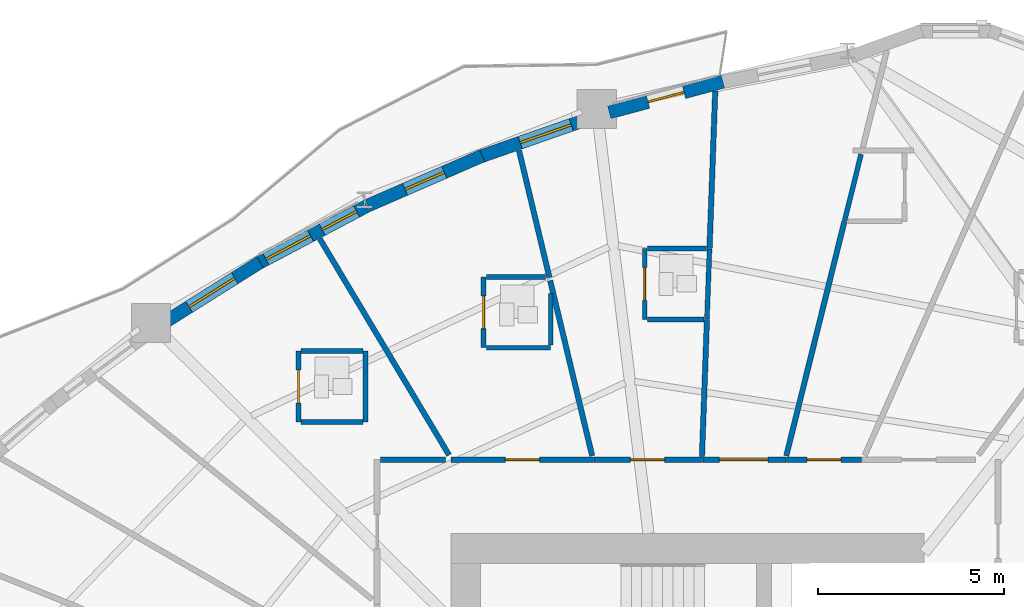
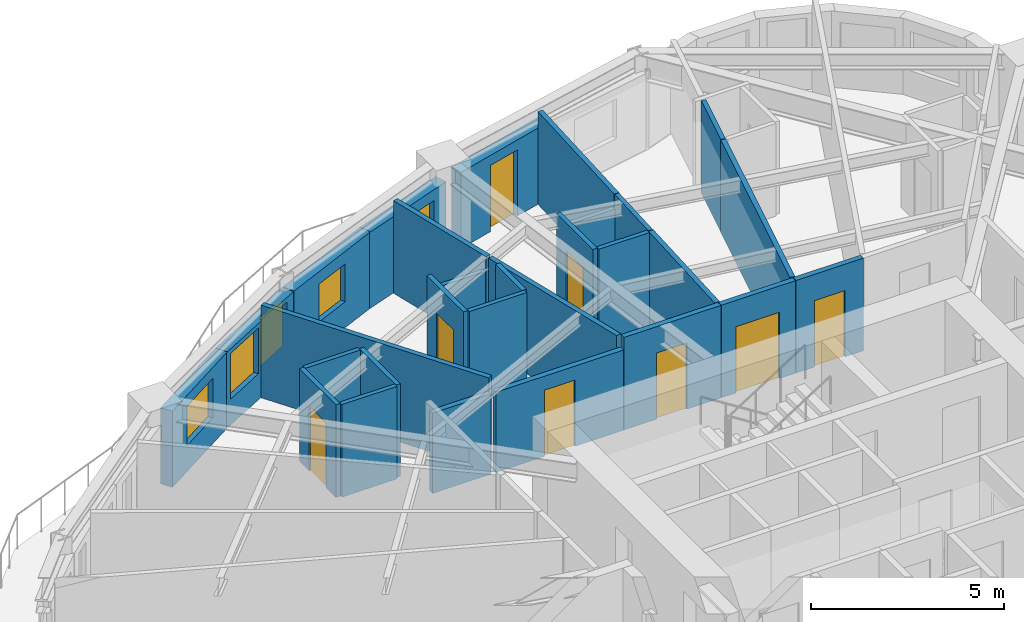
# One storey, part 11 of 18: 29 walls, 8 doors, 5 windows, 13 openings.
"""IFC4 building model written with IfcOpenShell, lengths in metres."""

from ifc_helpers import new_model, si_unit, direction, frame, frame_2d, origin, place, context, subcontext, project, spatial, rectangle, extrude, source, transform, mapped, material, layer, layer_set, type_object, element, fill, save


model = new_model("IFC4")

# Units and contexts
model_context = context("Model", 3, precision=1e-05, world=origin(), true_north=direction((0.0, 1.0)))
body_context = subcontext(model_context, "Body", "Model", "MODEL_VIEW")
ifc_project = project(units=[si_unit("LENGTHUNIT", "METRE"), si_unit("AREAUNIT", "SQUARE_METRE"), si_unit("VOLUMEUNIT", "CUBIC_METRE"), si_unit("PLANEANGLEUNIT", "RADIAN"), si_unit("MASSUNIT", "GRAM", prefix="KILO")], contexts=[model_context])

# Site, building, storey
site_placement = place(None, origin())
site = spatial("IfcSite", under=ifc_project, at=site_placement, CompositionType="ELEMENT")
building_placement = place(site_placement, origin())
building = spatial("IfcBuilding", under=site, at=building_placement, Name="Qafzar Sky-Pleat Residences", CompositionType="ELEMENT")
storey_placement = place(building_placement, frame((0.0, 0.0, 27.0)))
storey = spatial("IfcBuildingStorey", under=building, at=storey_placement, Name="L07", CompositionType="ELEMENT", Elevation=27.0)

# Wall, opening, door
ifc_material_1 = material(Name="Acoustic gypsum plasterboard partition", Category="gypsum")
ifc_layer_1 = layer(ifc_material_1, 0.159912109375)
ifc_layer_set_1 = layer_set([ifc_layer_1], Name="Acoustic gypsum plasterboard partition")
wall_type_1 = type_object("IfcWallType", Name="PART-COR-160", PredefinedType="PARTITIONING", material=ifc_layer_set_1)
wall_1_placement = place(storey_placement, frame((24.009033203125, 36.580078125, 0.0), z_axis=(0.0, 0.0, 1.0), x_axis=(1.0, 0.0, 0.0)))
wall_1 = element("IfcWall", 1, at=wall_1_placement, inside=storey, type_object=wall_type_1, Name="L07 Partition Wall PART-L07-PW-008", PredefinedType="PARTITIONING", context=body_context, shape_type="SweptSolid", body=[
    extrude(rectangle(XDim=3.822021484375, YDim=0.159912109375, at=frame_2d((1.9111328125, 0.0))), origin(), (0.0, 0.0, 1.0), 2.54296875),
])
opening_1_placement = place(wall_1_placement, frame((1.451904296875, 0.0, 0.0)))
opening_1 = element("IfcOpeningElement", 2, at=opening_1_placement, cuts=wall_1, Name="Opening ID-04", PredefinedType="OPENING", context=body_context, shape_type="SweptSolid", body=[
    extrude(rectangle(XDim=0.919921875, YDim=2.10009765625, at=frame_2d((0.4599609375, 1.050048828125))), frame((0.0, 0.08984375, 0.0), z_axis=(0.0, -1.0, 0.0), x_axis=(1.0, 0.0, 0.0)), (0.0, 0.0, 1.0), 0.179931640625),
])
ifc_material_2 = material(Name="Timber-faced fire door", Category="wood")
door_type_1 = type_object("IfcDoorType", Name="DR-BED-920", OperationType="NOTDEFINED", PredefinedType="DOOR", material=ifc_material_2)
shared_shape_1 = source(origin(), body_context, "Body", "SweptSolid", [
    extrude(rectangle(XDim=0.919921875, YDim=2.10009765625, at=frame_2d((0.4599609375, 1.050048828125))), frame((0.0, 0.02490234375, 0.0), z_axis=(0.0, -1.0, 0.0), x_axis=(1.0, 0.0, 0.0)), (0.0, 0.0, 1.0), 0.050048828125),
])
door_1_placement = place(opening_1_placement, origin())
door_1 = element("IfcDoor", 3, at=door_1_placement, inside=storey, type_object=door_type_1, Name="L07 Co-Living Bedroom 2 Door", OperationType="SINGLE_SWING_LEFT", OverallHeight=2.10009765625, OverallWidth=0.919921875, PredefinedType="DOOR", context=body_context, shape_type="MappedRepresentation", body=[
    mapped(shared_shape_1, transform((0.0, 0.0, 0.0), x_axis=(1.0, 0.0, 0.0), y_axis=(0.0, 1.0, 0.0), z_axis=(0.0, 0.0, 1.0), scale=1.0)),
])
fill(opening_1, door_1)

wall_2_placement = place(storey_placement, frame((27.845947265625, 36.580078125, 0.0), z_axis=(0.0, 0.0, 1.0), x_axis=(1.0, 0.0, 0.0)))
wall_2 = element("IfcWall", 4, at=wall_2_placement, inside=storey, type_object=wall_type_1, Name="L07 Partition Wall PART-L07-PW-014", PredefinedType="PARTITIONING", context=body_context, shape_type="SweptSolid", body=[
    extrude(rectangle(XDim=2.903076171875, YDim=0.159912109375, at=frame_2d((1.45166015625, 0.0))), origin(), (0.0, 0.0, 1.0), 2.93505859375),
])
opening_2_placement = place(wall_2_placement, frame((0.968994140625, 0.0, 0.0)))
opening_2 = element("IfcOpeningElement", 5, at=opening_2_placement, cuts=wall_2, Name="Opening ID-04", PredefinedType="OPENING", context=body_context, shape_type="SweptSolid", body=[
    extrude(rectangle(XDim=0.919921875, YDim=2.10009765625, at=frame_2d((0.4599609375, 1.050048828125))), frame((0.0, 0.08984375, 0.0), z_axis=(0.0, -1.0, 0.0), x_axis=(1.0, 0.0, 0.0)), (0.0, 0.0, 1.0), 0.179931640625),
])
door_2_placement = place(opening_2_placement, origin())
door_2 = element("IfcDoor", 6, at=door_2_placement, inside=storey, type_object=door_type_1, Name="L07 Co-Living Bedroom 1 Door", OperationType="SINGLE_SWING_RIGHT", OverallHeight=2.10009765625, OverallWidth=0.919921875, PredefinedType="DOOR", context=body_context, shape_type="MappedRepresentation", body=[
    mapped(shared_shape_1, transform((0.0, 0.0, 0.0), x_axis=(1.0, 0.0, 0.0), y_axis=(0.0, 1.0, 0.0), z_axis=(0.0, 0.0, 1.0), scale=1.0)),
])
fill(opening_2, door_2)

wall_3_placement = place(storey_placement, frame((30.763916015625, 36.580078125, 0.0), z_axis=(0.0, 0.0, 1.0), x_axis=(1.0, 0.0, 0.0)))
wall_3 = element("IfcWall", 7, at=wall_3_placement, inside=storey, type_object=wall_type_1, Name="L07 Partition Wall PART-L07-PW-017", PredefinedType="PARTITIONING", context=body_context, shape_type="SweptSolid", body=[
    extrude(rectangle(XDim=2.22509765625, YDim=0.159912109375, at=frame_2d((1.112548828125, 0.0))), origin(), (0.0, 0.0, 1.0), 2.93505859375),
])
opening_3_placement = place(wall_3_placement, frame((0.43994140625, 0.0, 0.0)))
opening_3 = element("IfcOpeningElement", 8, at=opening_3_placement, cuts=wall_3, Name="Opening ID-05", PredefinedType="OPENING", context=body_context, shape_type="SweptSolid", body=[
    extrude(rectangle(XDim=1.300048828125, YDim=2.10009765625, at=frame_2d((0.64990234375, 1.050048828125))), frame((0.0, 0.08984375, 0.0), z_axis=(0.0, -1.0, 0.0), x_axis=(1.0, 0.0, 0.0)), (0.0, 0.0, 1.0), 0.179931640625),
])
door_type_2 = type_object("IfcDoorType", Name="DR-LNG-1300", OperationType="DOUBLE_DOOR_SINGLE_SWING", PredefinedType="DOOR", material=ifc_material_2)
shared_shape_2 = source(origin(), body_context, "Body", "SweptSolid", [
    extrude(rectangle(XDim=1.300048828125, YDim=2.10009765625, at=frame_2d((0.64990234375, 1.050048828125))), frame((0.0, 0.02490234375, 0.0), z_axis=(0.0, -1.0, 0.0), x_axis=(1.0, 0.0, 0.0)), (0.0, 0.0, 1.0), 0.050048828125),
])
door_3_placement = place(opening_3_placement, origin())
door_3 = element("IfcDoor", 9, at=door_3_placement, inside=storey, type_object=door_type_2, Name="L07 Communal Kitchen Door", OperationType="DOUBLE_DOOR_SINGLE_SWING", OverallHeight=2.10009765625, OverallWidth=1.300048828125, PredefinedType="DOOR", context=body_context, shape_type="MappedRepresentation", body=[
    mapped(shared_shape_2, transform((0.0, 0.0, 0.0), x_axis=(1.0, 0.0, 0.0), y_axis=(0.0, 1.0, 0.0), z_axis=(0.0, 0.0, 1.0), scale=1.0)),
])
fill(opening_3, door_3)

wall_4_placement = place(storey_placement, frame((33.00390625, 36.580078125, 0.0), z_axis=(0.0, 0.0, 1.0), x_axis=(1.0, 0.0, 0.0)))
wall_4 = element("IfcWall", 10, at=wall_4_placement, inside=storey, type_object=wall_type_1, Name="L07 Partition Wall PART-L07-PW-018", PredefinedType="PARTITIONING", context=body_context, shape_type="SweptSolid", body=[
    extrude(rectangle(XDim=2.01708984375, YDim=0.159912109375, at=frame_2d((1.008544921875, 0.0))), origin(), (0.0, 0.0, 1.0), 2.93505859375),
])
opening_4_placement = place(wall_4_placement, frame((0.549072265625, 0.0, 0.0)))
opening_4 = element("IfcOpeningElement", 11, at=opening_4_placement, cuts=wall_4, Name="Opening ID-04", PredefinedType="OPENING", context=body_context, shape_type="SweptSolid", body=[
    extrude(rectangle(XDim=0.919921875, YDim=2.10009765625, at=frame_2d((0.4599609375, 1.050048828125))), frame((0.0, 0.08984375, 0.0), z_axis=(0.0, -1.0, 0.0), x_axis=(1.0, 0.0, 0.0)), (0.0, 0.0, 1.0), 0.179931640625),
])
door_4_placement = place(opening_4_placement, origin())
door_4 = element("IfcDoor", 12, at=door_4_placement, inside=storey, type_object=door_type_1, Name="L07 Co-Living Bedroom 12 Door", OperationType="SINGLE_SWING_RIGHT", OverallHeight=2.10009765625, OverallWidth=0.919921875, PredefinedType="DOOR", context=body_context, shape_type="MappedRepresentation", body=[
    mapped(shared_shape_1, transform((0.0, 0.0, 0.0), x_axis=(1.0, 0.0, 0.0), y_axis=(0.0, 1.0, 0.0), z_axis=(0.0, 0.0, 1.0), scale=1.0)),
])
fill(opening_4, door_4)

# Walls
wall_5_placement = place(storey_placement, frame((22.10791015625, 36.580078125, 0.0), z_axis=(0.0, 0.0, 1.0), x_axis=(1.0, 0.0, 0.0)))
element("IfcWall", 13, at=wall_5_placement, inside=storey, type_object=wall_type_1, Name="L07 Partition Wall PART-L07-PW-060", PredefinedType="PARTITIONING", context=body_context, shape_type="SweptSolid", body=[
    extrude(rectangle(XDim=1.745849609375, YDim=0.159912109375, at=frame_2d((0.873046875, 0.0))), origin(), (0.0, 0.0, 1.0), 2.54296875),
])
ifc_layer_2 = layer(ifc_material_1, 0.14501953125)
ifc_layer_set_2 = layer_set([ifc_layer_2], Name="Acoustic gypsum plasterboard partition")
wall_type_2 = type_object("IfcWallType", Name="PART-UNIT-145", PredefinedType="PARTITIONING", material=ifc_layer_set_2)
wall_6_placement = place(storey_placement, frame((20.481201171875, 42.510498046875, 0.0), z_axis=(0.0, 0.0, 1.0), x_axis=(0.513067331262, -0.858348363773, 0.0)))
element("IfcWall", 14, at=wall_6_placement, inside=storey, type_object=wall_type_2, Name="L07 Partition Wall PART-L07-PW-046", PredefinedType="PARTITIONING", context=body_context, shape_type="SweptSolid", body=[
    extrude(rectangle(XDim=6.7646484375, YDim=0.14501953125, at=frame_2d((3.38232421875, 0.0))), origin(), (0.0, 0.0, 1.0), 2.93505859375),
])
wall_7_placement = place(storey_placement, frame((33.0, 36.685302734375, 0.0), z_axis=(0.0, 0.0, 1.0), x_axis=(0.240736846637, 0.970590423748, 0.0)))
element("IfcWall", 15, at=wall_7_placement, inside=storey, type_object=wall_type_2, Name="L07 Partition Wall PART-L07-PW-047", PredefinedType="PARTITIONING", context=body_context, shape_type="SweptSolid", body=[
    extrude(rectangle(XDim=6.484375, YDim=0.14501953125, at=frame_2d((3.2421875, 0.0))), origin(), (0.0, 0.0, 1.0), 2.93505859375),
])
wall_8_placement = place(storey_placement, frame((26.6640625, 41.387939453125, 0.0), z_axis=(0.0, 0.0, 1.0), x_axis=(0.233021630241, -0.972471552201, 0.0)))
element("IfcWall", 16, at=wall_8_placement, inside=storey, type_object=wall_type_2, Name="L07 Partition Wall PART-L07-PW-051", PredefinedType="PARTITIONING", context=body_context, shape_type="SweptSolid", body=[
    extrude(rectangle(XDim=4.836181640625, YDim=0.14501953125, at=frame_2d((2.41796875, 0.0))), origin(), (0.0, 0.0, 1.0), 2.93505859375),
])
wall_9_placement = place(storey_placement, frame((30.93994140625, 42.2470703125, 0.0), z_axis=(0.0, 0.0, 1.0), x_axis=(0.03624948077, 0.999342771597, 0.0)))
element("IfcWall", 17, at=wall_9_placement, inside=storey, type_object=wall_type_2, Name="L07 Partition Wall PART-L07-PW-052", PredefinedType="PARTITIONING", context=body_context, shape_type="SweptSolid", body=[
    extrude(rectangle(XDim=4.2294921875, YDim=0.14501953125, at=frame_2d((2.11474609375, 0.0))), origin(), (0.0, 0.0, 1.0), 2.93505859375),
])
wall_10_placement = place(storey_placement, frame((30.7373046875, 36.670654296875, 0.0), z_axis=(0.0, 0.0, 1.0), x_axis=(0.036368539535, 0.999338445839, 0.0)))
element("IfcWall", 18, at=wall_10_placement, inside=storey, type_object=wall_type_2, Name="L07 Partition Wall PART-L07-PW-054", PredefinedType="PARTITIONING", context=body_context, shape_type="SweptSolid", body=[
    extrude(rectangle(XDim=3.6787109375, YDim=0.14501953125, at=frame_2d((1.83935546875, 0.0))), origin(), (0.0, 0.0, 1.0), 2.93505859375),
])
wall_11_placement = place(storey_placement, frame((25.828857421875, 44.87548828125, 0.0), z_axis=(0.0, 0.0, 1.0), x_axis=(0.232921769711, -0.972495475154, 0.0)))
element("IfcWall", 19, at=wall_11_placement, inside=storey, type_object=wall_type_2, Name="L07 Partition Wall PART-L07-PW-055", PredefinedType="PARTITIONING", context=body_context, shape_type="SweptSolid", body=[
    extrude(rectangle(XDim=3.499755859375, YDim=0.14501953125, at=frame_2d((1.75, 0.0))), origin(), (0.0, 0.0, 1.0), 2.93505859375),
])

# Wall, opening, door
ifc_material_3 = material(Name="Moisture-resistant gypsum partition", Category="gypsum")
ifc_layer_3 = layer(ifc_material_3, 0.1298828125)
ifc_layer_set_3 = layer_set([ifc_layer_3], Name="Moisture-resistant gypsum partition")
wall_type_3 = type_object("IfcWallType", Name="PART-WET-130", PredefinedType="PARTITIONING", material=ifc_layer_set_3)
wall_12_placement = place(storey_placement, frame((29.200927734375, 42.2470703125, 0.0), z_axis=(0.0, 0.0, 1.0), x_axis=(0.0, -1.0, 0.0)))
wall_12 = element("IfcWall", 20, at=wall_12_placement, inside=storey, type_object=wall_type_3, Name="L07 Partition Wall PART-L07-PW-023", PredefinedType="PARTITIONING", context=body_context, shape_type="SweptSolid", body=[
    extrude(rectangle(XDim=1.900146484375, YDim=0.1298828125, at=frame_2d((0.9501953125, 0.0))), origin(), (0.0, 0.0, 1.0), 2.93505859375),
])
opening_5_placement = place(wall_12_placement, frame((0.510009765625, 0.0, 0.0)))
opening_5 = element("IfcOpeningElement", 21, at=opening_5_placement, cuts=wall_12, Name="Opening ID-07", PredefinedType="OPENING", context=body_context, shape_type="SweptSolid", body=[
    extrude(rectangle(XDim=0.8798828125, YDim=2.050048828125, at=frame_2d((0.43994140625, 1.02490234375))), frame((0.0, 0.074951171875, 0.0), z_axis=(0.0, -1.0, 0.0), x_axis=(1.0, 0.0, 0.0)), (0.0, 0.0, 1.0), 0.14990234375),
])
door_type_3 = type_object("IfcDoorType", Name="DR-WET-880", OperationType="NOTDEFINED", PredefinedType="DOOR", material=ifc_material_2)
shared_shape_3 = source(origin(), body_context, "Body", "SweptSolid", [
    extrude(rectangle(XDim=0.8798828125, YDim=2.050048828125, at=frame_2d((0.43994140625, 1.02490234375))), frame((0.0, 0.02490234375, 0.0), z_axis=(0.0, -1.0, 0.0), x_axis=(1.0, 0.0, 0.0)), (0.0, 0.0, 1.0), 0.050048828125),
])
door_5_placement = place(opening_5_placement, origin())
door_5 = element("IfcDoor", 22, at=door_5_placement, inside=storey, type_object=door_type_3, Name="L07 En-suite Bathroom 1 Door", OperationType="SINGLE_SWING_LEFT", OverallHeight=2.050048828125, OverallWidth=0.8798828125, PredefinedType="DOOR", context=body_context, shape_type="MappedRepresentation", body=[
    mapped(shared_shape_3, transform((0.0, 0.0, 0.0), x_axis=(1.0, 0.0, 0.0), y_axis=(0.0, 1.0, 0.0), z_axis=(0.0, 0.0, 1.0), scale=1.0)),
])
fill(opening_5, door_5)

wall_13_placement = place(storey_placement, frame((24.87890625, 41.487060546875, 0.0), z_axis=(0.0, 0.0, 1.0), x_axis=(0.0, -1.0, 0.0)))
wall_13 = element("IfcWall", 23, at=wall_13_placement, inside=storey, type_object=wall_type_3, Name="L07 Partition Wall PART-L07-PW-024", PredefinedType="PARTITIONING", context=body_context, shape_type="SweptSolid", body=[
    extrude(rectangle(XDim=1.900146484375, YDim=0.1298828125, at=frame_2d((0.9501953125, 0.0))), origin(), (0.0, 0.0, 1.0), 2.93505859375),
])
opening_6_placement = place(wall_13_placement, frame((0.510009765625, 0.0, 0.0)))
opening_6 = element("IfcOpeningElement", 24, at=opening_6_placement, cuts=wall_13, Name="Opening ID-07", PredefinedType="OPENING", context=body_context, shape_type="SweptSolid", body=[
    extrude(rectangle(XDim=0.8798828125, YDim=2.050048828125, at=frame_2d((0.43994140625, 1.02490234375))), frame((0.0, 0.074951171875, 0.0), z_axis=(0.0, -1.0, 0.0), x_axis=(1.0, 0.0, 0.0)), (0.0, 0.0, 1.0), 0.14990234375),
])
door_6_placement = place(opening_6_placement, origin())
door_6 = element("IfcDoor", 25, at=door_6_placement, inside=storey, type_object=door_type_3, Name="L07 En-suite Bathroom 2 Door", OperationType="SINGLE_SWING_RIGHT", OverallHeight=2.050048828125, OverallWidth=0.8798828125, PredefinedType="DOOR", context=body_context, shape_type="MappedRepresentation", body=[
    mapped(shared_shape_3, transform((0.0, 0.0, 0.0), x_axis=(1.0, 0.0, 0.0), y_axis=(0.0, 1.0, 0.0), z_axis=(0.0, 0.0, 1.0), scale=1.0)),
])
fill(opening_6, door_6)

wall_14_placement = place(storey_placement, frame((19.909912109375, 39.4951171875, 0.0), z_axis=(0.0, 0.0, 1.0), x_axis=(0.0, -1.0, 0.0)))
wall_14 = element("IfcWall", 26, at=wall_14_placement, inside=storey, type_object=wall_type_3, Name="L07 Partition Wall PART-L07-PW-025", PredefinedType="PARTITIONING", context=body_context, shape_type="SweptSolid", body=[
    extrude(rectangle(XDim=1.900146484375, YDim=0.1298828125, at=frame_2d((0.9501953125, 0.0))), origin(), (0.0, 0.0, 1.0), 2.93505859375),
])
opening_7_placement = place(wall_14_placement, frame((0.510009765625, 0.0, 0.0)))
opening_7 = element("IfcOpeningElement", 27, at=opening_7_placement, cuts=wall_14, Name="Opening ID-07", PredefinedType="OPENING", context=body_context, shape_type="SweptSolid", body=[
    extrude(rectangle(XDim=0.8798828125, YDim=2.050048828125, at=frame_2d((0.43994140625, 1.02490234375))), frame((0.0, 0.074951171875, 0.0), z_axis=(0.0, -1.0, 0.0), x_axis=(1.0, 0.0, 0.0)), (0.0, 0.0, 1.0), 0.14990234375),
])
door_7_placement = place(opening_7_placement, origin())
door_7 = element("IfcDoor", 28, at=door_7_placement, inside=storey, type_object=door_type_3, Name="L07 En-suite Bathroom 3 Door", OperationType="SINGLE_SWING_LEFT", OverallHeight=2.050048828125, OverallWidth=0.8798828125, PredefinedType="DOOR", context=body_context, shape_type="MappedRepresentation", body=[
    mapped(shared_shape_3, transform((0.0, 0.0, 0.0), x_axis=(1.0, 0.0, 0.0), y_axis=(0.0, 1.0, 0.0), z_axis=(0.0, 0.0, 1.0), scale=1.0)),
])
fill(opening_7, door_7)

# Walls
wall_15_placement = place(storey_placement, frame((34.564697265625, 42.99365234375, 0.0), z_axis=(0.0, 0.0, 1.0), x_axis=(0.240658084914, 0.970609955732, 0.0)))
element("IfcWall", 29, at=wall_15_placement, inside=storey, type_object=wall_type_3, Name="L07 Partition Wall PART-L07-PW-061", PredefinedType="PARTITIONING", context=body_context, shape_type="SweptSolid", body=[
    extrude(rectangle(XDim=1.836181640625, YDim=0.1298828125, at=frame_2d((0.91796875, 0.0))), origin(), (0.0, 0.0, 1.0), 2.93505859375),
])
wall_16_placement = place(storey_placement, frame((21.7099609375, 37.594970703125, 0.0), z_axis=(0.0, 0.0, 1.0), x_axis=(0.0, 1.0, 0.0)))
element("IfcWall", 30, at=wall_16_placement, inside=storey, type_object=wall_type_3, Name="L07 Partition Wall PART-L07-PW-063", PredefinedType="PARTITIONING", context=body_context, shape_type="SweptSolid", body=[
    extrude(rectangle(XDim=1.900146484375, YDim=0.1298828125, at=frame_2d((0.9501953125, 0.0))), origin(), (0.0, 0.0, 1.0), 2.93505859375),
])
wall_17_placement = place(storey_placement, frame((30.87158203125, 40.362060546875, 0.0), z_axis=(0.0, 0.0, 1.0), x_axis=(0.036273279858, 0.999341908042, 0.0)))
element("IfcWall", 31, at=wall_17_placement, inside=storey, type_object=wall_type_3, Name="L07 Partition Wall PART-L07-PW-066", PredefinedType="PARTITIONING", context=body_context, shape_type="SweptSolid", body=[
    extrude(rectangle(XDim=1.87109375, YDim=0.1298828125, at=frame_2d((0.935546875, 0.0))), origin(), (0.0, 0.0, 1.0), 2.93505859375),
])
for number, where, z_axis, x_axis, name in (
    (32, (19.98291015625, 39.4951171875, 0.0), (0.0, 0.0, 1.0), (1.0, 0.0, 0.0), "L07 Partition Wall PART-L07-PW-070"),
    (33, (19.98291015625, 37.594970703125, 0.0), (0.0, 0.0, 1.0), (1.0, 0.0, 0.0), "L07 Partition Wall PART-L07-PW-071"),
):
    element("IfcWall", number, at=place(storey_placement, frame(where, z_axis=z_axis, x_axis=x_axis)), inside=storey, type_object=wall_type_3, Name=name, PredefinedType="PARTITIONING", context=body_context, shape_type="SweptSolid", body=[
        extrude(rectangle(XDim=1.654052734375, YDim=0.1298828125, at=frame_2d((0.8271484375, 0.0))), origin(), (0.0, 0.0, 1.0), 2.93505859375),
    ])
wall_18_placement = place(storey_placement, frame((24.951904296875, 39.5869140625, 0.0), z_axis=(0.0, 0.0, 1.0), x_axis=(1.0, 0.0, 0.0)))
element("IfcWall", 34, at=wall_18_placement, inside=storey, type_object=wall_type_3, Name="L07 Partition Wall PART-L07-PW-074", PredefinedType="PARTITIONING", context=body_context, shape_type="SweptSolid", body=[
    extrude(rectangle(XDim=1.72705078125, YDim=0.1298828125, at=frame_2d((0.863525390625, 0.0))), origin(), (0.0, 0.0, 1.0), 2.93505859375),
])
wall_19_placement = place(storey_placement, frame((24.951904296875, 41.487060546875, 0.0), z_axis=(0.0, 0.0, 1.0), x_axis=(1.0, 0.0, 0.0)))
element("IfcWall", 35, at=wall_19_placement, inside=storey, type_object=wall_type_3, Name="L07 Partition Wall PART-L07-PW-081", PredefinedType="PARTITIONING", context=body_context, shape_type="SweptSolid", body=[
    extrude(rectangle(XDim=1.590087890625, YDim=0.1298828125, at=frame_2d((0.794921875, 0.0))), origin(), (0.0, 0.0, 1.0), 2.5029296875),
])
wall_20_placement = place(storey_placement, frame((29.27392578125, 42.2470703125, 0.0), z_axis=(0.0, 0.0, 1.0), x_axis=(1.0, 0.0, 0.0)))
element("IfcWall", 36, at=wall_20_placement, inside=storey, type_object=wall_type_3, Name="L07 Partition Wall PART-L07-PW-082", PredefinedType="PARTITIONING", context=body_context, shape_type="SweptSolid", body=[
    extrude(rectangle(XDim=1.583251953125, YDim=0.1298828125, at=frame_2d((0.79150390625, 0.0))), origin(), (0.0, 0.0, 1.0), 2.5029296875),
])
wall_21_placement = place(storey_placement, frame((26.678955078125, 39.659912109375, 0.0), z_axis=(0.0, 0.0, 1.0), x_axis=(0.0, 1.0, 0.0)))
element("IfcWall", 37, at=wall_21_placement, inside=storey, type_object=wall_type_3, Name="L07 Partition Wall PART-L07-PW-083", PredefinedType="PARTITIONING", context=body_context, shape_type="SweptSolid", body=[
    extrude(rectangle(XDim=1.380126953125, YDim=0.1298828125, at=frame_2d((0.68994140625, 0.0))), origin(), (0.0, 0.0, 1.0), 2.93505859375),
])
wall_22_placement = place(storey_placement, frame((29.27392578125, 40.346923828125, 0.0), z_axis=(0.0, 0.0, 1.0), x_axis=(1.0, 0.0, 0.0)))
element("IfcWall", 38, at=wall_22_placement, inside=storey, type_object=wall_type_3, Name="L07 Partition Wall PART-L07-PW-084", PredefinedType="PARTITIONING", context=body_context, shape_type="SweptSolid", body=[
    extrude(rectangle(XDim=1.51416015625, YDim=0.1298828125, at=frame_2d((0.757080078125, 0.0))), origin(), (0.0, 0.0, 1.0), 2.93505859375),
])

# Wall, opening, door
ifc_material_4 = material(Name="Precast concrete C40/50 with honed Riyadh limestone", Category="concrete")
ifc_layer_4 = layer(ifc_material_4, 0.35009765625)
ifc_layer_set_4 = layer_set([ifc_layer_4], Name="Precast concrete C40/50 with honed Riyadh limestone")
wall_type_4 = type_object("IfcWallType", Name="WALL-EXT-350", PredefinedType="SOLIDWALL", material=ifc_layer_set_4)
wall_23_placement = place(storey_placement, frame((31.29833984375, 46.722412109375, 0.0), z_axis=(0.0, 0.0, 1.0), x_axis=(-0.965455913242, -0.260566459057, 0.0)))
wall_23 = element("IfcWall", 39, at=wall_23_placement, inside=storey, type_object=wall_type_4, Name="L07 Limestone Facade Wall 40", PredefinedType="SOLIDWALL", context=body_context, shape_type="SweptSolid", body=[
    extrude(rectangle(XDim=3.159423828125, YDim=0.35009765625, at=frame_2d((1.57958984375, 0.0))), origin(), (0.0, 0.0, 1.0), 2.4150390625),
])
opening_8_placement = place(wall_23_placement, frame((1.079833984375, 0.0, 0.0)))
opening_8 = element("IfcOpeningElement", 40, at=opening_8_placement, cuts=wall_23, Name="Opening ED-05", PredefinedType="OPENING", context=body_context, shape_type="SweptSolid", body=[
    extrude(rectangle(XDim=1.0, YDim=2.10009765625, at=frame_2d((0.5, 1.050048828125))), frame((0.0, 0.18505859375, 0.0), z_axis=(0.0, -1.0, 0.0), x_axis=(1.0, 0.0, 0.0)), (0.0, 0.0, 1.0), 0.3701171875),
])
ifc_material_5 = material(Name="Glazed bronze aluminium door", Category="aluminium")
door_type_4 = type_object("IfcDoorType", Name="DR-BAL-1000", OperationType="NOTDEFINED", PredefinedType="DOOR", material=ifc_material_5)
shared_shape_4 = source(origin(), body_context, "Body", "SweptSolid", [
    extrude(rectangle(XDim=1.0, YDim=2.10009765625, at=frame_2d((0.5, 1.050048828125))), frame((0.0, 0.02490234375, 0.0), z_axis=(0.0, -1.0, 0.0), x_axis=(1.0, 0.0, 0.0)), (0.0, 0.0, 1.0), 0.050048828125),
])
door_8_placement = place(opening_8_placement, origin())
door_8 = element("IfcDoor", 41, at=door_8_placement, inside=storey, type_object=door_type_4, Name="L07 Glazed Balcony Door 1", OperationType="SINGLE_SWING_LEFT", OverallHeight=2.10009765625, OverallWidth=1.0, PredefinedType="DOOR", context=body_context, shape_type="MappedRepresentation", body=[
    mapped(shared_shape_4, transform((0.0, 0.0, 0.0), x_axis=(1.0, 0.0, 0.0), y_axis=(0.0, 1.0, 0.0), z_axis=(0.0, 0.0, 1.0), scale=1.0)),
])
fill(opening_8, door_8)

# Wall, opening, window
wall_24_placement = place(storey_placement, frame((27.687255859375, 45.725830078125, 0.0), z_axis=(0.0, 0.0, 1.0), x_axis=(-0.9441205041, -0.329600475936, 0.0)))
wall_24 = element("IfcWall", 42, at=wall_24_placement, inside=storey, type_object=wall_type_4, Name="L07 Limestone Facade Wall 41", PredefinedType="SOLIDWALL", context=body_context, shape_type="SweptSolid", body=[
    extrude(rectangle(XDim=3.103515625, YDim=0.35009765625, at=frame_2d((1.5517578125, 0.0))), origin(), (0.0, 0.0, 1.0), 2.4150390625),
])
opening_9_placement = place(wall_24_placement, frame((0.486083984375, 0.0, 0.820068359375)))
opening_9 = element("IfcOpeningElement", 43, at=opening_9_placement, cuts=wall_24, Name="Opening WN-15", PredefinedType="OPENING", context=body_context, shape_type="SweptSolid", body=[
    extrude(rectangle(XDim=1.449951171875, YDim=1.25, at=frame_2d((0.72509765625, 0.625))), frame((0.0, 0.18505859375, 0.0), z_axis=(0.0, -1.0, 0.0), x_axis=(1.0, 0.0, 0.0)), (0.0, 0.0, 1.0), 0.3701171875),
])
ifc_material_6 = material(Name="Solar-control low-E glass in bronze aluminium frame", Category="glass")
window_type_1 = type_object("IfcWindowType", Name="WIN-15", PartitioningType="SINGLE_PANEL", PredefinedType="WINDOW", material=ifc_material_6)
shared_shape_5 = source(origin(), body_context, "Body", "SweptSolid", [
    extrude(rectangle(XDim=1.449951171875, YDim=1.25, at=frame_2d((0.72509765625, 0.625))), frame((0.0, 0.030029296875, 0.0), z_axis=(0.0, -1.0, 0.0), x_axis=(1.0, 0.0, 0.0)), (0.0, 0.0, 1.0), 0.06005859375),
])
window_1_placement = place(opening_9_placement, origin())
window_1 = element("IfcWindow", 44, at=window_1_placement, inside=storey, type_object=window_type_1, Name="L07 Punched Facade Window 41", OverallHeight=1.25, OverallWidth=1.449951171875, PartitioningType="SINGLE_PANEL", PredefinedType="WINDOW", context=body_context, shape_type="MappedRepresentation", body=[
    mapped(shared_shape_5, transform((0.0, 0.0, 0.0), x_axis=(1.0, 0.0, 0.0), y_axis=(0.0, 1.0, 0.0), z_axis=(0.0, 0.0, 1.0), scale=1.0)),
])
fill(opening_9, window_1)

wall_25_placement = place(storey_placement, frame((24.83984375, 44.7353515625, 0.0), z_axis=(0.0, 0.0, 1.0), x_axis=(-0.917090935142, -0.398678086532, 0.0)))
wall_25 = element("IfcWall", 45, at=wall_25_placement, inside=storey, type_object=wall_type_4, Name="L07 Limestone Facade Wall 42", PredefinedType="SOLIDWALL", context=body_context, shape_type="SweptSolid", body=[
    extrude(rectangle(XDim=3.345947265625, YDim=0.35009765625, at=frame_2d((1.6728515625, 0.0))), origin(), (0.0, 0.0, 1.0), 2.4150390625),
])
opening_10_placement = place(wall_25_placement, frame((1.10791015625, 0.0, 0.820068359375)))
opening_10 = element("IfcOpeningElement", 46, at=opening_10_placement, cuts=wall_25, Name="Opening WN-16", PredefinedType="OPENING", context=body_context, shape_type="SweptSolid", body=[
    extrude(rectangle(XDim=1.14990234375, YDim=1.199951171875, at=frame_2d((0.574951171875, 0.60009765625))), frame((0.0, 0.18505859375, 0.0), z_axis=(0.0, -1.0, 0.0), x_axis=(1.0, 0.0, 0.0)), (0.0, 0.0, 1.0), 0.3701171875),
])
window_type_2 = type_object("IfcWindowType", Name="WIN-16", PartitioningType="SINGLE_PANEL", PredefinedType="WINDOW", material=ifc_material_6)
shared_shape_6 = source(origin(), body_context, "Body", "SweptSolid", [
    extrude(rectangle(XDim=1.14990234375, YDim=1.199951171875, at=frame_2d((0.574951171875, 0.60009765625))), frame((0.0, 0.030029296875, 0.0), z_axis=(0.0, -1.0, 0.0), x_axis=(1.0, 0.0, 0.0)), (0.0, 0.0, 1.0), 0.06005859375),
])
window_2_placement = place(opening_10_placement, origin())
window_2 = element("IfcWindow", 47, at=window_2_placement, inside=storey, type_object=window_type_2, Name="L07 Punched Facade Window 42", OverallHeight=1.199951171875, OverallWidth=1.14990234375, PartitioningType="SINGLE_PANEL", PredefinedType="WINDOW", context=body_context, shape_type="MappedRepresentation", body=[
    mapped(shared_shape_6, transform((0.0, 0.0, 0.0), x_axis=(1.0, 0.0, 0.0), y_axis=(0.0, 1.0, 0.0), z_axis=(0.0, 0.0, 1.0), scale=1.0)),
])
fill(opening_10, window_2)

# Wall, openings, windows
wall_26_placement = place(storey_placement, frame((21.747314453125, 43.389892578125, 0.0), z_axis=(0.0, 0.0, 1.0), x_axis=(-0.88437802144, -0.46677137358, 0.0)))
wall_26 = element("IfcWall", 48, at=wall_26_placement, inside=storey, type_object=wall_type_4, Name="L07 Limestone Facade Wall 43", PredefinedType="SOLIDWALL", context=body_context, shape_type="SweptSolid", body=[
    extrude(rectangle(XDim=3.3271484375, YDim=0.35009765625, at=frame_2d((1.66357421875, 0.0))), origin(), (0.0, 0.0, 1.0), 2.4150390625),
])
opening_11_placement = place(wall_26_placement, frame((0.310546875, 0.0, 0.820068359375)))
opening_11 = element("IfcOpeningElement", 49, at=opening_11_placement, cuts=wall_26, Name="Opening WN-06", PredefinedType="OPENING", context=body_context, shape_type="SweptSolid", body=[
    extrude(rectangle(XDim=1.050048828125, YDim=1.449951171875, at=frame_2d((0.52490234375, 0.72509765625))), frame((0.0, 0.18505859375, 0.0), z_axis=(0.0, -1.0, 0.0), x_axis=(1.0, 0.0, 0.0)), (0.0, 0.0, 1.0), 0.3701171875),
])
opening_12_placement = place(wall_26_placement, frame((1.714111328125, 0.0, 0.820068359375)))
opening_12 = element("IfcOpeningElement", 50, at=opening_12_placement, cuts=wall_26, Name="Opening WN-04", PredefinedType="OPENING", context=body_context, shape_type="SweptSolid", body=[
    extrude(rectangle(XDim=1.35009765625, YDim=1.449951171875, at=frame_2d((0.675048828125, 0.72509765625))), frame((0.0, 0.18505859375, 0.0), z_axis=(0.0, -1.0, 0.0), x_axis=(1.0, 0.0, 0.0)), (0.0, 0.0, 1.0), 0.3701171875),
])
window_type_3 = type_object("IfcWindowType", Name="WIN-06", PartitioningType="SINGLE_PANEL", PredefinedType="WINDOW", material=ifc_material_6)
shared_shape_7 = source(origin(), body_context, "Body", "SweptSolid", [
    extrude(rectangle(XDim=1.050048828125, YDim=1.449951171875, at=frame_2d((0.52490234375, 0.72509765625))), frame((0.0, 0.030029296875, 0.0), z_axis=(0.0, -1.0, 0.0), x_axis=(1.0, 0.0, 0.0)), (0.0, 0.0, 1.0), 0.06005859375),
])
window_3_placement = place(opening_11_placement, origin())
window_3 = element("IfcWindow", 51, at=window_3_placement, inside=storey, type_object=window_type_3, Name="L07 Punched Facade Window 43", OverallHeight=1.449951171875, OverallWidth=1.050048828125, PartitioningType="SINGLE_PANEL", PredefinedType="WINDOW", context=body_context, shape_type="MappedRepresentation", body=[
    mapped(shared_shape_7, transform((0.0, 0.0, 0.0), x_axis=(1.0, 0.0, 0.0), y_axis=(0.0, 1.0, 0.0), z_axis=(0.0, 0.0, 1.0), scale=1.0)),
])
fill(opening_11, window_3)
window_type_4 = type_object("IfcWindowType", Name="WIN-04", PartitioningType="SINGLE_PANEL", PredefinedType="WINDOW", material=ifc_material_6)
shared_shape_8 = source(origin(), body_context, "Body", "SweptSolid", [
    extrude(rectangle(XDim=1.35009765625, YDim=1.449951171875, at=frame_2d((0.675048828125, 0.72509765625))), frame((0.0, 0.030029296875, 0.0), z_axis=(0.0, -1.0, 0.0), x_axis=(1.0, 0.0, 0.0)), (0.0, 0.0, 1.0), 0.06005859375),
])
window_4_placement = place(opening_12_placement, origin())
window_4 = element("IfcWindow", 52, at=window_4_placement, inside=storey, type_object=window_type_4, Name="L07 Punched Facade Window 43-2", OverallHeight=1.449951171875, OverallWidth=1.35009765625, PartitioningType="SINGLE_PANEL", PredefinedType="WINDOW", context=body_context, shape_type="MappedRepresentation", body=[
    mapped(shared_shape_8, transform((0.0, 0.0, 0.0), x_axis=(1.0, 0.0, 0.0), y_axis=(0.0, 1.0, 0.0), z_axis=(0.0, 0.0, 1.0), scale=1.0)),
])
fill(opening_12, window_4)

# Wall, opening, window
wall_27_placement = place(storey_placement, frame((18.88232421875, 41.881591796875, 0.0), z_axis=(0.0, 0.0, 1.0), x_axis=(-0.846428134238, -0.53250297048, 0.0)))
wall_27 = element("IfcWall", 53, at=wall_27_placement, inside=storey, type_object=wall_type_4, Name="L07 Limestone Facade Wall 44", PredefinedType="SOLIDWALL", context=body_context, shape_type="SweptSolid", body=[
    extrude(rectangle(XDim=3.047119140625, YDim=0.35009765625, at=frame_2d((1.5234375, 0.0))), origin(), (0.0, 0.0, 1.0), 2.4150390625),
])
opening_13_placement = place(wall_27_placement, frame((0.803466796875, 0.0, 0.820068359375)))
opening_13 = element("IfcOpeningElement", 54, at=opening_13_placement, cuts=wall_27, Name="Opening WN-15", PredefinedType="OPENING", context=body_context, shape_type="SweptSolid", body=[
    extrude(rectangle(XDim=1.449951171875, YDim=1.25, at=frame_2d((0.72509765625, 0.625))), frame((0.0, 0.18505859375, 0.0), z_axis=(0.0, -1.0, 0.0), x_axis=(1.0, 0.0, 0.0)), (0.0, 0.0, 1.0), 0.3701171875),
])
window_5_placement = place(opening_13_placement, origin())
window_5 = element("IfcWindow", 55, at=window_5_placement, inside=storey, type_object=window_type_1, Name="L07 Punched Facade Window 44", OverallHeight=1.25, OverallWidth=1.449951171875, PartitioningType="SINGLE_PANEL", PredefinedType="WINDOW", context=body_context, shape_type="MappedRepresentation", body=[
    mapped(shared_shape_5, transform((0.0, 0.0, 0.0), x_axis=(1.0, 0.0, 0.0), y_axis=(0.0, 1.0, 0.0), z_axis=(0.0, 0.0, 1.0), scale=1.0)),
])
fill(opening_13, window_5)

save(model, "model.ifc")
